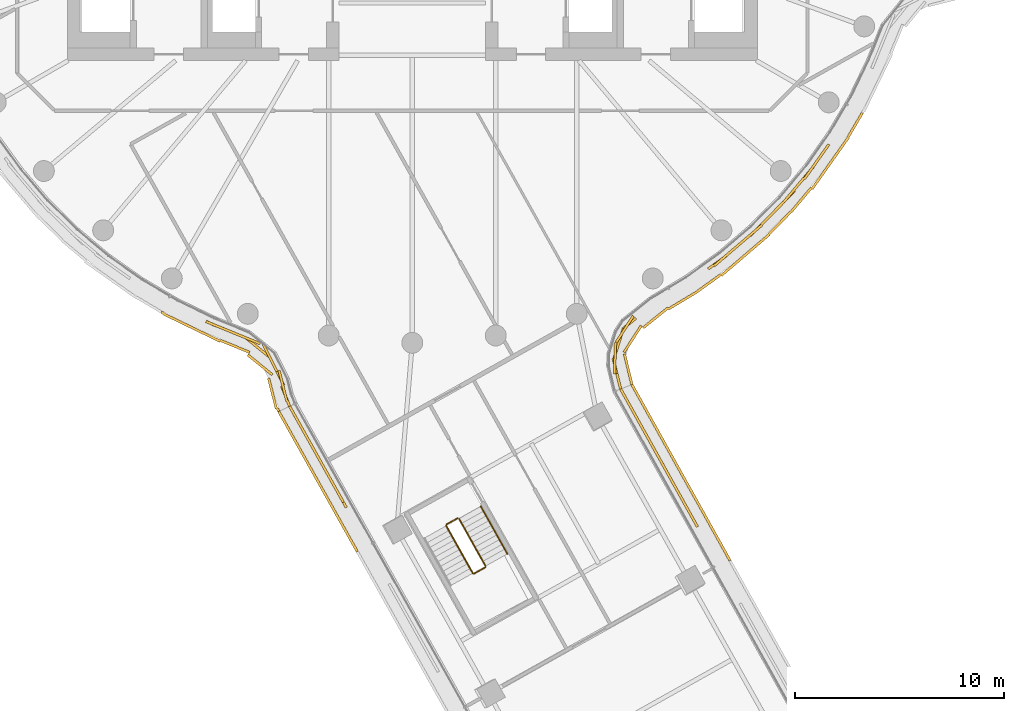
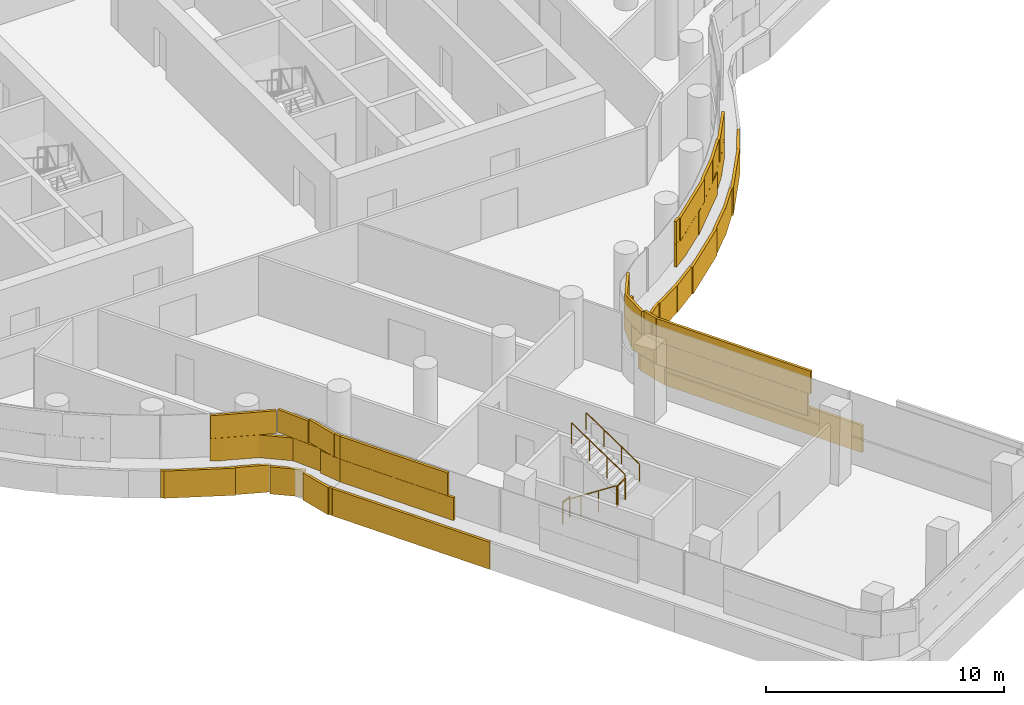
# One storey, part 28 of 34: 5 railings, 4 coverings.
"""IFC4 building model written with IfcOpenShell, lengths in metres."""

from ifc_helpers import new_model, si_unit, direction, frame, origin, origin_2d, place, context, subcontext, project, spatial, rectangle, circle, extrude, material, layer, layer_set, type_object, element, save


model = new_model("IFC4")

# Units and contexts
model_context = context("Model", 3, precision=1e-05, world=origin(), true_north=direction((0.0, 1.0)))
body_context = subcontext(model_context, "Body", "Model", "MODEL_VIEW")
ifc_project = project(units=[si_unit("LENGTHUNIT", "METRE"), si_unit("AREAUNIT", "SQUARE_METRE"), si_unit("VOLUMEUNIT", "CUBIC_METRE"), si_unit("PLANEANGLEUNIT", "RADIAN"), si_unit("MASSUNIT", "GRAM", prefix="KILO")], contexts=[model_context])

# Site, building, storey
site_placement = place(None, origin())
site = spatial("IfcSite", under=ifc_project, at=site_placement, CompositionType="ELEMENT")
building_placement = place(site_placement, origin())
building = spatial("IfcBuilding", under=site, at=building_placement, Name="Tamarind Cross Interchange Tower", CompositionType="ELEMENT")
storey_placement = place(building_placement, frame((0.0, 0.0, 140.5)))
storey = spatial("IfcBuildingStorey", under=building, at=storey_placement, Name="L34", CompositionType="ELEMENT", Elevation=140.5)

# Railings
ifc_material_1 = material(Name="Stair guard")
railing_type_1 = type_object("IfcRailingType", Name="Stair guard", PredefinedType="GUARDRAIL", material=ifc_material_1)
railing_1_placement = place(storey_placement, frame((1.6220703125, -31.7509765625, 0.17041015625)))
element("IfcRailing", 1, at=railing_1_placement, inside=storey, type_object=railing_type_1, Name="L34 ST6 stair guard 1", PredefinedType="GUARDRAIL", context=body_context, shape_type="SweptSolid", body=[
    extrude(circle(Radius=0.02392578125, at=origin_2d()), frame((0.0, 0.0, 1.076171875), z_axis=(0.408672393545, -0.72962628909, 0.548299510325), x_axis=(0.87246437923, 0.488677712788, 0.0)), (0.0, 0.0, 1.0), 3.10888671875),
    extrude(circle(Radius=0.02099609375, at=origin_2d()), origin(), (0.0, 0.0, 1.0), 1.052001953125),
    extrude(circle(Radius=0.02099609375, at=origin_2d()), frame((0.423583984375, -0.756103515625, 0.568115234375)), (0.0, 0.0, 1.0), 1.052001953125),
    extrude(circle(Radius=0.02099609375, at=origin_2d()), frame((0.846923828125, -1.51220703125, 1.136474609375)), (0.0, 0.0, 1.0), 1.052001953125),
    extrude(circle(Radius=0.02099609375, at=origin_2d()), frame((1.2705078125, -2.268310546875, 1.70458984375)), (0.0, 0.0, 1.0), 1.052001953125),
])
railing_2_placement = place(storey_placement, frame((2.960693359375, -34.03857421875, 1.875)))
element("IfcRailing", 2, at=railing_2_placement, inside=storey, type_object=railing_type_1, Name="L34 ST6 stair guard 2", PredefinedType="GUARDRAIL", context=body_context, shape_type="SweptSolid", body=[
    extrude(circle(Radius=0.02392578125, at=origin_2d()), frame((0.0, 0.0, 1.076171875), z_axis=(0.872443557744, 0.488714884725, 0.0), x_axis=(-0.488714884725, 0.872443557744, 0.0)), (0.0, 0.0, 1.0), 0.599853515625),
    extrude(circle(Radius=0.02099609375, at=origin_2d()), origin(), (0.0, 0.0, 1.0), 1.052001953125),
    extrude(circle(Radius=0.02099609375, at=origin_2d()), frame((0.5234375, 0.293212890625, 0.0)), (0.0, 0.0, 1.0), 1.052001953125),
])
railing_3_placement = place(storey_placement, frame((3.50341796875, -33.67724609375, 2.04541015625)))
element("IfcRailing", 3, at=railing_3_placement, inside=storey, type_object=railing_type_1, Name="L34 ST6 stair guard 3", PredefinedType="GUARDRAIL", context=body_context, shape_type="SweptSolid", body=[
    extrude(circle(Radius=0.02392578125, at=origin_2d()), frame((0.0, 0.0, 1.076171875), z_axis=(-0.408737805219, 0.72960287191, 0.548281912784), x_axis=(-0.872424341696, -0.488749187227, 0.0)), (0.0, 0.0, 1.0), 3.10888671875),
    extrude(circle(Radius=0.02099609375, at=origin_2d()), origin(), (0.0, 0.0, 1.0), 1.052001953125),
    extrude(circle(Radius=0.02099609375, at=origin_2d()), frame((-0.423583984375, 0.756103515625, 0.568115234375)), (0.0, 0.0, 1.0), 1.052001953125),
    extrude(circle(Radius=0.02099609375, at=origin_2d()), frame((-0.84716796875, 1.51220703125, 1.136474609375)), (0.0, 0.0, 1.0), 1.052001953125),
    extrude(circle(Radius=0.02099609375, at=origin_2d()), frame((-1.270751953125, 2.268310546875, 1.70458984375)), (0.0, 0.0, 1.0), 1.052001953125),
])
railing_4_placement = place(storey_placement, frame((1.641357421875, -31.682861328125, 0.0)))
element("IfcRailing", 4, at=railing_4_placement, inside=storey, type_object=railing_type_1, Name="L34 ST6 stair guard 4", PredefinedType="GUARDRAIL", context=body_context, shape_type="SweptSolid", body=[
    extrude(circle(Radius=0.02392578125, at=origin_2d()), frame((0.0, 0.0, 1.076171875), z_axis=(0.872443557744, 0.488714884725, 0.0), x_axis=(-0.488714884725, 0.872443557744, 0.0)), (0.0, 0.0, 1.0), 0.599853515625),
    extrude(circle(Radius=0.02099609375, at=origin_2d()), origin(), (0.0, 0.0, 1.0), 1.052001953125),
    extrude(circle(Radius=0.02099609375, at=origin_2d()), frame((0.5234375, 0.293212890625, 0.0)), (0.0, 0.0, 1.0), 1.052001953125),
])
ifc_material_2 = material(Name="Stair handrail")
railing_type_2 = type_object("IfcRailingType", Name="Stair handrail", PredefinedType="HANDRAIL", material=ifc_material_2)
railing_5_placement = place(storey_placement, frame((4.55029296875, -33.0908203125, 2.04541015625)))
element("IfcRailing", 5, at=railing_5_placement, inside=storey, type_object=railing_type_2, Name="L34 ST6 stair handrail 2", PredefinedType="HANDRAIL", context=body_context, shape_type="SweptSolid", body=[
    extrude(circle(Radius=0.02392578125, at=origin_2d()), frame((0.0, 0.0, 0.8759765625), z_axis=(-0.408672393545, 0.72962628909, 0.548299510325), x_axis=(-0.87246437923, -0.488677712788, 0.0)), (0.0, 0.0, 1.0), 3.10888671875),
    extrude(circle(Radius=0.02099609375, at=origin_2d()), origin(), (0.0, 0.0, 1.0), 0.851806640625),
    extrude(circle(Radius=0.02099609375, at=origin_2d()), frame((-0.423583984375, 0.756103515625, 0.568115234375)), (0.0, 0.0, 1.0), 0.851806640625),
    extrude(circle(Radius=0.02099609375, at=origin_2d()), frame((-0.846923828125, 1.51220703125, 1.136474609375)), (0.0, 0.0, 1.0), 0.851806640625),
    extrude(circle(Radius=0.02099609375, at=origin_2d()), frame((-1.2705078125, 2.268310546875, 1.70458984375)), (0.0, 0.0, 1.0), 0.851806640625),
])

# Coverings
ifc_material_3 = material(Name="Terracotta", Category="masonry")
ifc_layer = layer(ifc_material_3, 0.1201171875)
ifc_layer_set = layer_set([ifc_layer], Name="Terracotta")
covering_type = type_object("IfcCoveringType", Name="Terracotta baguette screen unit", PredefinedType="MOLDING", material=ifc_layer_set)
covering_1_placement = place(storey_placement, origin())
element("IfcCovering", 6, at=covering_1_placement, inside=storey, type_object=covering_type, Name="SCR-L34-02-01", PredefinedType="MOLDING", context=body_context, shape_type="SweptSolid", body=[
    extrude(rectangle(XDim=0.543701171875, YDim=0.1201171875, at=origin_2d()), frame((-9.613037109375, -22.0830078125, 1.404052734375), z_axis=(0.0, 0.0, 1.0), x_axis=(0.900272776334, -0.435326231914, 0.0)), (0.0, 0.0, 1.0), 1.1669921875),
    extrude(rectangle(XDim=1.52001953125, YDim=0.1201171875, at=origin_2d()), frame((-8.672607421875, -22.469482421875, 1.404052734375), z_axis=(0.0, 0.0, 1.0), x_axis=(0.925708802413, -0.378236980126, 0.0)), (0.0, 0.0, 1.0), 1.1669921875),
    extrude(rectangle(XDim=1.52001953125, YDim=0.1201171875, at=origin_2d()), frame((-7.392822265625, -23.220458984375, 1.404052734375), z_axis=(0.0, 0.0, 1.0), x_axis=(0.776369102739, -0.630278522807, 0.0)), (0.0, 0.0, 1.0), 1.1669921875),
    extrude(rectangle(XDim=1.52001953125, YDim=0.1201171875, at=origin_2d()), frame((-6.47509765625, -24.3642578125, 1.404052734375), z_axis=(0.0, 0.0, 1.0), x_axis=(0.448045105365, -0.894010952706, 0.0)), (0.0, 0.0, 1.0), 1.1669921875),
    extrude(rectangle(XDim=1.04443359375, YDim=0.1201171875, at=origin_2d()), frame((-6.05859375, -25.553466796875, 1.404052734375), z_axis=(0.0, 0.0, 1.0), x_axis=(0.37062876387, -0.928781093365, 0.0)), (0.0, 0.0, 1.0), 1.1669921875),
    extrude(rectangle(XDim=1.293701171875, YDim=0.1201171875, at=origin_2d()), frame((-9.266845703125, -22.226806640625, 2.5791015625), z_axis=(0.0, 0.0, 1.0), x_axis=(0.925708802413, -0.378236980126, 0.0)), (0.0, 0.0, 1.0), 1.1669921875),
    extrude(rectangle(XDim=1.52001953125, YDim=0.1201171875, at=origin_2d()), frame((-7.978271484375, -22.753173828125, 2.5791015625), z_axis=(0.0, 0.0, 1.0), x_axis=(0.925708802413, -0.378236980126, 0.0)), (0.0, 0.0, 1.0), 1.1669921875),
    extrude(rectangle(XDim=1.52001953125, YDim=0.1201171875, at=origin_2d()), frame((-6.811279296875, -23.693603515625, 2.5791015625), z_axis=(0.0, 0.0, 1.0), x_axis=(0.448045105365, -0.894010952706, 0.0)), (0.0, 0.0, 1.0), 1.1669921875),
    extrude(rectangle(XDim=1.52001953125, YDim=0.1201171875, at=origin_2d()), frame((-6.18798828125, -25.052978515625, 2.5791015625), z_axis=(0.0, 0.0, 1.0), x_axis=(0.246227723894, -0.969212003633, 0.0)), (0.0, 0.0, 1.0), 1.1669921875),
    extrude(rectangle(XDim=0.29443359375, YDim=0.1201171875, at=origin_2d()), frame((-5.919677734375, -25.90185546875, 2.5791015625), z_axis=(0.0, 0.0, 1.0), x_axis=(0.37062876387, -0.928781093365, 0.0)), (0.0, 0.0, 1.0), 1.1669921875),
    extrude(rectangle(XDim=0.1552734375, YDim=0.1201171875, at=origin_2d()), frame((-11.9404296875, -21.5634765625, 0.00390625), z_axis=(0.0, 0.0, 1.0), x_axis=(0.861248933065, -0.508183308752, 0.0)), (0.0, 0.0, 1.0), 1.39208984375),
    extrude(rectangle(XDim=1.52001953125, YDim=0.1201171875, at=origin_2d()), frame((-11.2177734375, -21.944580078125, 0.00390625), z_axis=(0.0, 0.0, 1.0), x_axis=(0.900272776334, -0.435326231914, 0.0)), (0.0, 0.0, 1.0), 1.39208984375),
    extrude(rectangle(XDim=1.52001953125, YDim=0.1201171875, at=origin_2d()), frame((-9.867431640625, -22.597412109375, 0.00390625), z_axis=(0.0, 0.0, 1.0), x_axis=(0.900272776334, -0.435326231914, 0.0)), (0.0, 0.0, 1.0), 1.39208984375),
    extrude(rectangle(XDim=1.52001953125, YDim=0.1201171875, at=origin_2d()), frame((-8.48046875, -23.168212890625, 0.00390625), z_axis=(0.0, 0.0, 1.0), x_axis=(0.925708802413, -0.378236980126, 0.0)), (0.0, 0.0, 1.0), 1.39208984375),
    extrude(rectangle(XDim=1.52001953125, YDim=0.1201171875, at=origin_2d()), frame((-7.279296875, -24.052001953125, 0.00390625), z_axis=(0.0, 0.0, 1.0), x_axis=(0.776369102739, -0.630278522807, 0.0)), (0.0, 0.0, 1.0), 1.39208984375),
    extrude(rectangle(XDim=1.52001953125, YDim=0.1201171875, at=origin_2d()), frame((-6.686767578125, -25.4208984375, 0.00390625), z_axis=(0.0, 0.0, 1.0), x_axis=(0.246227723894, -0.969212003633, 0.0)), (0.0, 0.0, 1.0), 1.39208984375),
    extrude(rectangle(XDim=0.173583984375, YDim=0.1201171875, at=origin_2d()), frame((-6.418212890625, -26.201171875, 0.00390625), z_axis=(0.0, 0.0, 1.0), x_axis=(0.37062876387, -0.928781093365, 0.0)), (0.0, 0.0, 1.0), 1.39208984375),
])
covering_2_placement = place(storey_placement, origin())
element("IfcCovering", 7, at=covering_2_placement, inside=storey, type_object=covering_type, Name="SCR-L34-03-00", PredefinedType="MOLDING", context=body_context, shape_type="SweptSolid", body=[
    extrude(rectangle(XDim=1.510009765625, YDim=0.1201171875, at=origin_2d()), frame((-5.50048828125, -26.688232421875, 1.404052734375), z_axis=(0.0, 0.0, 1.0), x_axis=(0.488688242939, -0.872458481082, 0.0)), (0.0, 0.0, 1.0), 1.1669921875),
    extrude(rectangle(XDim=1.52001953125, YDim=0.1201171875, at=origin_2d()), frame((-4.767333984375, -27.9970703125, 1.404052734375), z_axis=(0.0, 0.0, 1.0), x_axis=(0.488688242939, -0.872458481082, 0.0)), (0.0, 0.0, 1.0), 1.1669921875),
    extrude(rectangle(XDim=1.52001953125, YDim=0.1201171875, at=origin_2d()), frame((-4.034423828125, -29.3056640625, 1.404052734375), z_axis=(0.0, 0.0, 1.0), x_axis=(0.488688242939, -0.872458481082, 0.0)), (0.0, 0.0, 1.0), 1.1669921875),
    extrude(rectangle(XDim=1.05712890625, YDim=0.1201171875, at=origin_2d()), frame((-3.411865234375, -30.416748046875, 1.404052734375), z_axis=(0.0, 0.0, 1.0), x_axis=(0.488688242939, -0.872458481082, 0.0)), (0.0, 0.0, 1.0), 1.1669921875),
    extrude(rectangle(XDim=0.760009765625, YDim=0.1201171875, at=origin_2d()), frame((-5.68359375, -26.361083984375, 2.5791015625), z_axis=(0.0, 0.0, 1.0), x_axis=(0.488688242939, -0.872458481082, 0.0)), (0.0, 0.0, 1.0), 1.1669921875),
    extrude(rectangle(XDim=1.52001953125, YDim=0.1201171875, at=origin_2d()), frame((-5.1337890625, -27.342529296875, 2.5791015625), z_axis=(0.0, 0.0, 1.0), x_axis=(0.488688242939, -0.872458481082, 0.0)), (0.0, 0.0, 1.0), 1.1669921875),
    extrude(rectangle(XDim=1.52001953125, YDim=0.1201171875, at=origin_2d()), frame((-4.40087890625, -28.6513671875, 2.5791015625), z_axis=(0.0, 0.0, 1.0), x_axis=(0.488688242939, -0.872458481082, 0.0)), (0.0, 0.0, 1.0), 1.1669921875),
    extrude(rectangle(XDim=1.52001953125, YDim=0.1201171875, at=origin_2d()), frame((-3.667724609375, -29.9599609375, 2.5791015625), z_axis=(0.0, 0.0, 1.0), x_axis=(0.488688242939, -0.872458481082, 0.0)), (0.0, 0.0, 1.0), 1.1669921875),
    extrude(rectangle(XDim=1.510009765625, YDim=0.1201171875, at=origin_2d()), frame((-6.01708984375, -26.9404296875, 0.00390625), z_axis=(0.0, 0.0, 1.0), x_axis=(0.488688242939, -0.872458481082, 0.0)), (0.0, 0.0, 1.0), 1.39208984375),
    extrude(rectangle(XDim=1.52001953125, YDim=0.1201171875, at=origin_2d()), frame((-5.28662109375, -28.24462890625, 0.00390625), z_axis=(0.0, 0.0, 1.0), x_axis=(0.488688242939, -0.872458481082, 0.0)), (0.0, 0.0, 1.0), 1.39208984375),
    extrude(rectangle(XDim=1.52001953125, YDim=0.1201171875, at=origin_2d()), frame((-4.553466796875, -29.553466796875, 0.00390625), z_axis=(0.0, 0.0, 1.0), x_axis=(0.488688242939, -0.872458481082, 0.0)), (0.0, 0.0, 1.0), 1.39208984375),
    extrude(rectangle(XDim=1.52001953125, YDim=0.1201171875, at=origin_2d()), frame((-3.820556640625, -30.862060546875, 0.00390625), z_axis=(0.0, 0.0, 1.0), x_axis=(0.488688242939, -0.872458481082, 0.0)), (0.0, 0.0, 1.0), 1.39208984375),
    extrude(rectangle(XDim=1.52001953125, YDim=0.1201171875, at=origin_2d()), frame((-3.08740234375, -32.170654296875, 0.00390625), z_axis=(0.0, 0.0, 1.0), x_axis=(0.488688242939, -0.872458481082, 0.0)), (0.0, 0.0, 1.0), 1.39208984375),
    extrude(rectangle(XDim=0.19189453125, YDim=0.1201171875, at=origin_2d()), frame((-2.678955078125, -32.900146484375, 0.00390625), z_axis=(0.0, 0.0, 1.0), x_axis=(0.488688242939, -0.872458481082, 0.0)), (0.0, 0.0, 1.0), 1.39208984375),
])
covering_3_placement = place(storey_placement, origin())
element("IfcCovering", 8, at=covering_3_placement, inside=storey, type_object=covering_type, Name="SCR-L34-05-01", PredefinedType="MOLDING", context=body_context, shape_type="SweptSolid", body=[
    extrude(rectangle(XDim=1.52001953125, YDim=0.1201171875, at=origin_2d()), frame((13.19921875, -31.009521484375, 1.404052734375), z_axis=(0.0, 0.0, 1.0), x_axis=(-0.486914520101, 0.873449626547, 0.0)), (0.0, 0.0, 1.0), 1.1669921875),
    extrude(rectangle(XDim=1.52001953125, YDim=0.1201171875, at=origin_2d()), frame((12.46875, -29.699462890625, 1.404052734375), z_axis=(0.0, 0.0, 1.0), x_axis=(-0.486914520101, 0.873449626547, 0.0)), (0.0, 0.0, 1.0), 1.1669921875),
    extrude(rectangle(XDim=1.52001953125, YDim=0.1201171875, at=origin_2d()), frame((11.738525390625, -28.38916015625, 1.404052734375), z_axis=(0.0, 0.0, 1.0), x_axis=(-0.486914520101, 0.873449626547, 0.0)), (0.0, 0.0, 1.0), 1.1669921875),
    extrude(rectangle(XDim=1.52001953125, YDim=0.1201171875, at=origin_2d()), frame((11.008056640625, -27.0791015625, 1.404052734375), z_axis=(0.0, 0.0, 1.0), x_axis=(-0.486914520101, 0.873449626547, 0.0)), (0.0, 0.0, 1.0), 1.1669921875),
    extrude(rectangle(XDim=1.403564453125, YDim=0.1201171875, at=origin_2d()), frame((10.303466796875, -25.8154296875, 1.404052734375), z_axis=(0.0, 0.0, 1.0), x_axis=(-0.486914520101, 0.873449626547, 0.0)), (0.0, 0.0, 1.0), 1.1669921875),
    extrude(rectangle(XDim=0.911376953125, YDim=0.1201171875, at=origin_2d()), frame((13.418701171875, -31.4033203125, 2.5791015625), z_axis=(0.0, 0.0, 1.0), x_axis=(-0.486914520101, 0.873449626547, 0.0)), (0.0, 0.0, 1.0), 1.1669921875),
    extrude(rectangle(XDim=1.52001953125, YDim=0.1201171875, at=origin_2d()), frame((12.833984375, -30.3544921875, 2.5791015625), z_axis=(0.0, 0.0, 1.0), x_axis=(-0.486914520101, 0.873449626547, 0.0)), (0.0, 0.0, 1.0), 1.1669921875),
    extrude(rectangle(XDim=1.52001953125, YDim=0.1201171875, at=origin_2d()), frame((12.103515625, -29.04443359375, 2.5791015625), z_axis=(0.0, 0.0, 1.0), x_axis=(-0.486914520101, 0.873449626547, 0.0)), (0.0, 0.0, 1.0), 1.1669921875),
    extrude(rectangle(XDim=1.52001953125, YDim=0.1201171875, at=origin_2d()), frame((11.373291015625, -27.734130859375, 2.5791015625), z_axis=(0.0, 0.0, 1.0), x_axis=(-0.486914520101, 0.873449626547, 0.0)), (0.0, 0.0, 1.0), 1.1669921875),
    extrude(rectangle(XDim=1.52001953125, YDim=0.1201171875, at=origin_2d()), frame((10.642822265625, -26.424072265625, 2.5791015625), z_axis=(0.0, 0.0, 1.0), x_axis=(-0.486914520101, 0.873449626547, 0.0)), (0.0, 0.0, 1.0), 1.1669921875),
    extrude(rectangle(XDim=0.653564453125, YDim=0.1201171875, at=origin_2d()), frame((10.120849609375, -25.48779296875, 2.5791015625), z_axis=(0.0, 0.0, 1.0), x_axis=(-0.486914520101, 0.873449626547, 0.0)), (0.0, 0.0, 1.0), 1.1669921875),
    extrude(rectangle(XDim=0.7626953125, YDim=0.1201171875, at=origin_2d()), frame((15.013427734375, -33.085205078125, 0.00390625), z_axis=(0.0, 0.0, 1.0), x_axis=(-0.486914520101, 0.873449626547, 0.0)), (0.0, 0.0, 1.0), 1.39208984375),
    extrude(rectangle(XDim=1.52001953125, YDim=0.1201171875, at=origin_2d()), frame((14.46728515625, -32.105712890625, 0.00390625), z_axis=(0.0, 0.0, 1.0), x_axis=(-0.486914520101, 0.873449626547, 0.0)), (0.0, 0.0, 1.0), 1.39208984375),
    extrude(rectangle(XDim=1.52001953125, YDim=0.1201171875, at=origin_2d()), frame((13.737060546875, -30.795654296875, 0.00390625), z_axis=(0.0, 0.0, 1.0), x_axis=(-0.486914520101, 0.873449626547, 0.0)), (0.0, 0.0, 1.0), 1.39208984375),
    extrude(rectangle(XDim=1.52001953125, YDim=0.1201171875, at=origin_2d()), frame((13.006591796875, -29.4853515625, 0.00390625), z_axis=(0.0, 0.0, 1.0), x_axis=(-0.486914520101, 0.873449626547, 0.0)), (0.0, 0.0, 1.0), 1.39208984375),
    extrude(rectangle(XDim=1.52001953125, YDim=0.1201171875, at=origin_2d()), frame((12.2763671875, -28.17529296875, 0.00390625), z_axis=(0.0, 0.0, 1.0), x_axis=(-0.486914520101, 0.873449626547, 0.0)), (0.0, 0.0, 1.0), 1.39208984375),
    extrude(rectangle(XDim=1.52001953125, YDim=0.1201171875, at=origin_2d()), frame((11.5458984375, -26.864990234375, 0.00390625), z_axis=(0.0, 0.0, 1.0), x_axis=(-0.486914520101, 0.873449626547, 0.0)), (0.0, 0.0, 1.0), 1.39208984375),
    extrude(rectangle(XDim=1.40087890625, YDim=0.1201171875, at=origin_2d()), frame((10.844482421875, -25.60693359375, 0.00390625), z_axis=(0.0, 0.0, 1.0), x_axis=(-0.486914520101, 0.873449626547, 0.0)), (0.0, 0.0, 1.0), 1.39208984375),
])
covering_4_placement = place(storey_placement, origin())
element("IfcCovering", 9, at=covering_4_placement, inside=storey, type_object=covering_type, Name="SCR-L34-06-00", PredefinedType="MOLDING", context=body_context, shape_type="SweptSolid", body=[
    extrude(rectangle(XDim=1.510009765625, YDim=0.1201171875, at=origin_2d()), frame((9.786376953125, -24.47802734375, 1.404052734375), z_axis=(0.0, 0.0, 1.0), x_axis=(-0.237190354523, 0.971463193189, 0.0)), (0.0, 0.0, 1.0), 1.1669921875),
    extrude(rectangle(XDim=1.52001953125, YDim=0.1201171875, at=origin_2d()), frame((9.873046875, -23.0166015625, 1.404052734375), z_axis=(0.0, 0.0, 1.0), x_axis=(0.298149375979, 0.954519224324, 0.0)), (0.0, 0.0, 1.0), 1.1669921875),
    extrude(rectangle(XDim=0.748046875, YDim=0.1201171875, at=origin_2d()), frame((10.4052734375, -22.057861328125, 1.404052734375), z_axis=(0.0, 0.0, 1.0), x_axis=(0.779859200048, 0.625954972902, 0.0)), (0.0, 0.0, 1.0), 1.1669921875),
    extrude(rectangle(XDim=1.072021484375, YDim=0.1201171875, at=origin_2d()), frame((14.58642578125, -19.15185546875, 1.404052734375), z_axis=(0.0, 0.0, 1.0), x_axis=(0.811340475102, 0.584573890505, 0.0)), (0.0, 0.0, 1.0), 1.1669921875),
    extrude(rectangle(XDim=1.52001953125, YDim=0.1201171875, at=origin_2d()), frame((15.57861328125, -18.3427734375, 1.404052734375), z_axis=(0.0, 0.0, 1.0), x_axis=(0.760295606781, 0.64957723968, 0.0)), (0.0, 0.0, 1.0), 1.1669921875),
    extrude(rectangle(XDim=1.52001953125, YDim=0.1201171875, at=origin_2d()), frame((16.694580078125, -17.342041015625, 1.404052734375), z_axis=(0.0, 0.0, 1.0), x_axis=(0.704057148523, 0.710143317658, 0.0)), (0.0, 0.0, 1.0), 1.1669921875),
    extrude(rectangle(XDim=1.52001953125, YDim=0.1201171875, at=origin_2d()), frame((17.750732421875, -16.27685546875, 1.404052734375), z_axis=(0.0, 0.0, 1.0), x_axis=(0.704057148523, 0.710143317658, 0.0)), (0.0, 0.0, 1.0), 1.1669921875),
    extrude(rectangle(XDim=1.52001953125, YDim=0.1201171875, at=origin_2d()), frame((18.71875, -15.13134765625, 1.404052734375), z_axis=(0.0, 0.0, 1.0), x_axis=(0.643009266048, 0.765858396687, 0.0)), (0.0, 0.0, 1.0), 1.1669921875),
    extrude(rectangle(XDim=1.2763671875, YDim=0.1201171875, at=origin_2d()), frame((19.553466796875, -14.02978515625, 1.404052734375), z_axis=(0.0, 0.0, 1.0), x_axis=(0.577568978284, 0.816341886298, 0.0)), (0.0, 0.0, 1.0), 1.1669921875),
    extrude(rectangle(XDim=0.760009765625, YDim=0.1201171875, at=origin_2d()), frame((9.875244140625, -24.84228515625, 2.5791015625), z_axis=(0.0, 0.0, 1.0), x_axis=(-0.237190354523, 0.971463193189, 0.0)), (0.0, 0.0, 1.0), 1.1669921875),
    extrude(rectangle(XDim=1.52001953125, YDim=0.1201171875, at=origin_2d()), frame((9.6962890625, -23.740478515625, 2.5791015625), z_axis=(0.0, 0.0, 1.0), x_axis=(0.031635029539, 0.999499487197, 0.0)), (0.0, 0.0, 1.0), 1.1669921875),
    extrude(rectangle(XDim=1.498046875, YDim=0.1201171875, at=origin_2d()), frame((10.1640625, -22.3388671875, 2.5791015625), z_axis=(0.0, 0.0, 1.0), x_axis=(0.542882979993, 0.839808353158, 0.0)), (0.0, 0.0, 1.0), 1.1669921875),
    extrude(rectangle(XDim=0.322021484375, YDim=0.1201171875, at=origin_2d()), frame((14.2822265625, -19.370849609375, 2.5791015625), z_axis=(0.0, 0.0, 1.0), x_axis=(0.811340475102, 0.584573890505, 0.0)), (0.0, 0.0, 1.0), 1.1669921875),
    extrude(rectangle(XDim=1.52001953125, YDim=0.1201171875, at=origin_2d()), frame((15.00830078125, -18.830078125, 2.5791015625), z_axis=(0.0, 0.0, 1.0), x_axis=(0.760295606781, 0.64957723968, 0.0)), (0.0, 0.0, 1.0), 1.1669921875),
    extrude(rectangle(XDim=1.52001953125, YDim=0.1201171875, at=origin_2d()), frame((16.14892578125, -17.855712890625, 2.5791015625), z_axis=(0.0, 0.0, 1.0), x_axis=(0.760295606781, 0.64957723968, 0.0)), (0.0, 0.0, 1.0), 1.1669921875),
    extrude(rectangle(XDim=1.52001953125, YDim=0.1201171875, at=origin_2d()), frame((17.22265625, -16.8095703125, 2.5791015625), z_axis=(0.0, 0.0, 1.0), x_axis=(0.704057148523, 0.710143317658, 0.0)), (0.0, 0.0, 1.0), 1.1669921875),
    extrude(rectangle(XDim=1.52001953125, YDim=0.1201171875, at=origin_2d()), frame((18.236572265625, -15.70556640625, 2.5791015625), z_axis=(0.0, 0.0, 1.0), x_axis=(0.643009266048, 0.765858396687, 0.0)), (0.0, 0.0, 1.0), 1.1669921875),
    extrude(rectangle(XDim=1.52001953125, YDim=0.1201171875, at=origin_2d()), frame((19.187744140625, -14.546630859375, 2.5791015625), z_axis=(0.0, 0.0, 1.0), x_axis=(0.577568978284, 0.816341886298, 0.0)), (0.0, 0.0, 1.0), 1.1669921875),
    extrude(rectangle(XDim=0.5263671875, YDim=0.1201171875, at=origin_2d()), frame((19.77001953125, -13.7236328125, 2.5791015625), z_axis=(0.0, 0.0, 1.0), x_axis=(0.577568978284, 0.816341886298, 0.0)), (0.0, 0.0, 1.0), 1.1669921875),
    extrude(rectangle(XDim=1.510009765625, YDim=0.1201171875, at=origin_2d()), frame((10.324462890625, -24.26171875, 0.00390625), z_axis=(0.0, 0.0, 1.0), x_axis=(-0.237190354523, 0.971463193189, 0.0)), (0.0, 0.0, 1.0), 1.39208984375),
    extrude(rectangle(XDim=1.52001953125, YDim=0.1201171875, at=origin_2d()), frame((10.53955078125, -22.8154296875, 0.00390625), z_axis=(0.0, 0.0, 1.0), x_axis=(0.542882979993, 0.839808353158, 0.0)), (0.0, 0.0, 1.0), 1.39208984375),
    extrude(rectangle(XDim=1.52001953125, YDim=0.1201171875, at=origin_2d()), frame((11.63330078125, -21.80810546875, 0.00390625), z_axis=(0.0, 0.0, 1.0), x_axis=(0.779859200048, 0.625954972902, 0.0)), (0.0, 0.0, 1.0), 1.39208984375),
    extrude(rectangle(XDim=1.52001953125, YDim=0.1201171875, at=origin_2d()), frame((12.89306640625, -20.998046875, 0.00390625), z_axis=(0.0, 0.0, 1.0), x_axis=(0.856843065292, 0.515577308909, 0.0)), (0.0, 0.0, 1.0), 1.39208984375),
    extrude(rectangle(XDim=1.52001953125, YDim=0.1201171875, at=origin_2d()), frame((14.146484375, -20.17626953125, 0.00390625), z_axis=(0.0, 0.0, 1.0), x_axis=(0.811340475102, 0.584573890505, 0.0)), (0.0, 0.0, 1.0), 1.39208984375),
    extrude(rectangle(XDim=1.52001953125, YDim=0.1201171875, at=origin_2d()), frame((15.35498046875, -19.288818359375, 0.00390625), z_axis=(0.0, 0.0, 1.0), x_axis=(0.760295606781, 0.64957723968, 0.0)), (0.0, 0.0, 1.0), 1.39208984375),
    extrude(rectangle(XDim=1.52001953125, YDim=0.1201171875, at=origin_2d()), frame((16.495361328125, -18.314453125, 0.00390625), z_axis=(0.0, 0.0, 1.0), x_axis=(0.760295606781, 0.64957723968, 0.0)), (0.0, 0.0, 1.0), 1.39208984375),
    extrude(rectangle(XDim=1.52001953125, YDim=0.1201171875, at=origin_2d()), frame((17.572509765625, -17.27197265625, 0.00390625), z_axis=(0.0, 0.0, 1.0), x_axis=(0.704057148523, 0.710143317658, 0.0)), (0.0, 0.0, 1.0), 1.39208984375),
    extrude(rectangle(XDim=1.52001953125, YDim=0.1201171875, at=origin_2d()), frame((18.5927734375, -16.173828125, 0.00390625), z_axis=(0.0, 0.0, 1.0), x_axis=(0.643009266048, 0.765858396687, 0.0)), (0.0, 0.0, 1.0), 1.39208984375),
    extrude(rectangle(XDim=1.52001953125, YDim=0.1201171875, at=origin_2d()), frame((19.55419921875, -15.022705078125, 0.00390625), z_axis=(0.0, 0.0, 1.0), x_axis=(0.577568978284, 0.816341886298, 0.0)), (0.0, 0.0, 1.0), 1.39208984375),
    extrude(rectangle(XDim=1.52001953125, YDim=0.1201171875, at=origin_2d()), frame((20.42041015625, -13.798095703125, 0.00390625), z_axis=(0.0, 0.0, 1.0), x_axis=(0.577568978284, 0.816341886298, 0.0)), (0.0, 0.0, 1.0), 1.39208984375),
    extrude(rectangle(XDim=1.36474609375, YDim=0.1201171875, at=origin_2d()), frame((21.17724609375, -12.59521484375, 0.00390625), z_axis=(0.0, 0.0, 1.0), x_axis=(0.508183308752, 0.861248933065, 0.0)), (0.0, 0.0, 1.0), 1.39208984375),
])

save(model, "model.ifc")
